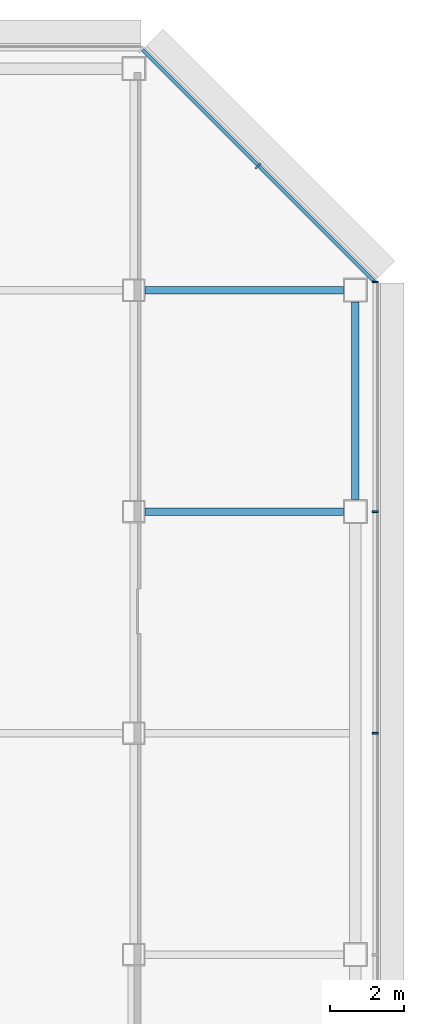
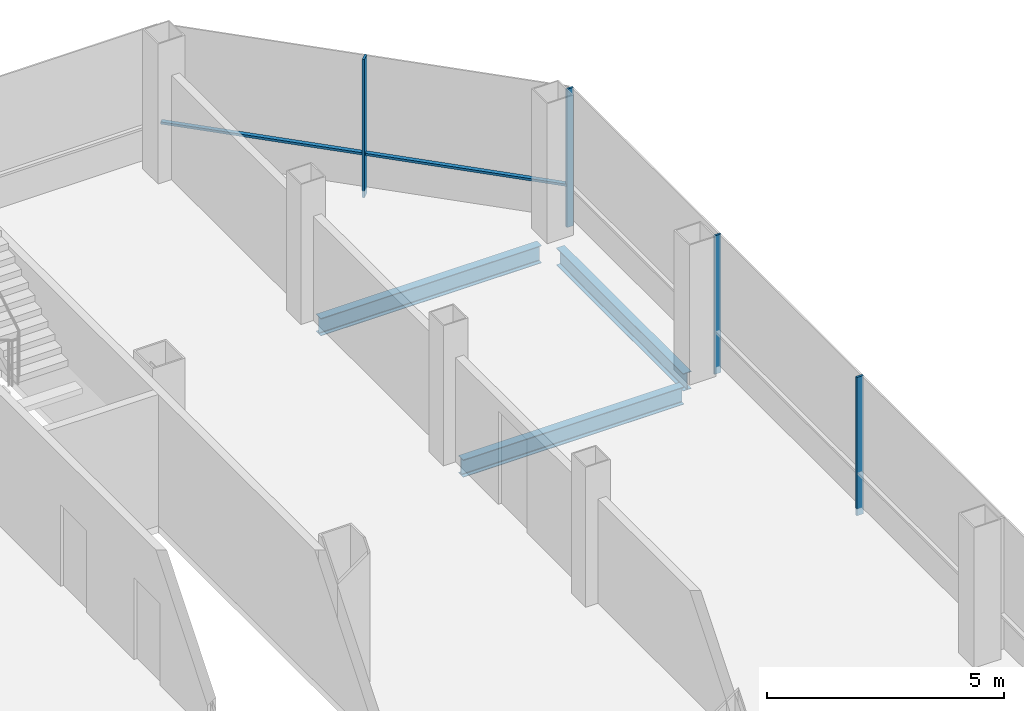
# One storey, part 18 of 27: 5 members, 3 beams, 2 elements without a shape of their own.
"""IFC4 building model written with IfcOpenShell, lengths in metres."""

from ifc_helpers import new_model, si_unit, direction, frame, origin, origin_2d, place, context, subcontext, project, spatial, rectangle, i_section, extrude, material, material_profile, profile_set, type_object, element, aggregate, save


model = new_model("IFC4")

# Units and contexts
model_context = context("Model", 3, precision=1e-05, world=origin(), true_north=direction((0.0, 1.0)))
body_context = subcontext(model_context, "Body", "Model", "MODEL_VIEW")
ifc_project = project(units=[si_unit("LENGTHUNIT", "METRE"), si_unit("AREAUNIT", "SQUARE_METRE"), si_unit("VOLUMEUNIT", "CUBIC_METRE"), si_unit("PLANEANGLEUNIT", "RADIAN"), si_unit("MASSUNIT", "GRAM", prefix="KILO")], contexts=[model_context])

# Site, building, storey
site_placement = place(None, origin())
site = spatial("IfcSite", under=ifc_project, at=site_placement, CompositionType="ELEMENT")
building_placement = place(site_placement, origin())
building = spatial("IfcBuilding", under=site, at=building_placement, Name="Sorahane Residences", CompositionType="ELEMENT")
storey_placement = place(building_placement, frame((0.0, 0.0, 206.39990234375)))
storey = spatial("IfcBuildingStorey", under=building, at=storey_placement, Name="L48", CompositionType="ELEMENT", Elevation=206.39990234375)

# Curtain wall, members
ifc_material_1 = material(Name="Dark low-e glass and black anodised aluminium", Category="aluminium")
curtain_wall_type_1 = type_object("IfcCurtainWallType", Name="Curtain wall CW-1 Typical unitised wall", PredefinedType="NOTDEFINED", material=ifc_material_1)
curtain_wall_1_placement = place(storey_placement, origin())
curtain_wall_1 = element("IfcCurtainWall", 1, at=curtain_wall_1_placement, inside=storey, type_object=curtain_wall_type_1, Name="CW-1 curtain wall L48 E1", PredefinedType="NOTDEFINED")
ifc_material_2 = material(Name="Black anodised aluminium", Category="aluminium")
ifc_material_profile_1 = material_profile(ifc_material_2, rectangle(XDim=0.159912109375, YDim=0.050048828125, at=origin_2d()), Name="Curtain wall mullion CW-1 black anodised aluminium 50x160")
ifc_profile_set_1 = profile_set([ifc_material_profile_1], Name="Black anodised aluminium")
member_type_1 = type_object("IfcMemberType", Name="Curtain wall mullion CW-1 black anodised aluminium 50x160", PredefinedType="MULLION", material=ifc_profile_set_1)
member_1_placement = place(storey_placement, frame((54.5400390625, 30.0, -0.179931640625), z_axis=(0.0, 0.0, 1.0), x_axis=(1.0, 0.0, 0.0)))
member_1 = element("IfcMember", 2, at=member_1_placement, type_object=member_type_1, Name="CW-1 mullion L48 E1.5", PredefinedType="MULLION", context=body_context, shape_type="SweptSolid", body=[
    extrude(rectangle(XDim=0.159912109375, YDim=0.050048828125, at=origin_2d()), origin(), (0.0, 0.0, 1.0), 3.56005859375),
])
member_2_placement = place(storey_placement, frame((54.5400390625, 36.0, -0.179931640625), z_axis=(0.0, 0.0, 1.0), x_axis=(1.0, 0.0, 0.0)))
member_2 = element("IfcMember", 3, at=member_2_placement, type_object=member_type_1, Name="CW-1 mullion L48 E1.6", PredefinedType="MULLION", context=body_context, shape_type="SweptSolid", body=[
    extrude(rectangle(XDim=0.159912109375, YDim=0.050048828125, at=origin_2d()), origin(), (0.0, 0.0, 1.0), 3.56005859375),
])
member_3_placement = place(storey_placement, frame((54.5400390625, 42.2236328125, -0.179931640625), z_axis=(0.0, 0.0, 1.0), x_axis=(1.0, 0.0, 0.0)))
member_3 = element("IfcMember", 4, at=member_3_placement, type_object=member_type_1, Name="CW-1 mullion L48 E1.7", PredefinedType="MULLION", context=body_context, shape_type="SweptSolid", body=[
    extrude(rectangle(XDim=0.159912109375, YDim=0.050048828125, at=origin_2d()), origin(), (0.0, 0.0, 1.0), 3.56005859375),
])
aggregate(curtain_wall_1, [member_1, member_2, member_3])

ifc_material_3 = material(Name="Dark low-e glass and black anodised aluminium", Category="aluminium")
curtain_wall_type_2 = type_object("IfcCurtainWallType", Name="Curtain wall CW-2 Chamfer unitised wall", PredefinedType="NOTDEFINED", material=ifc_material_3)
curtain_wall_2_placement = place(storey_placement, origin())
curtain_wall_2 = element("IfcCurtainWall", 5, at=curtain_wall_2_placement, inside=storey, type_object=curtain_wall_type_2, Name="CW-2 curtain wall L48 NE1", PredefinedType="NOTDEFINED")
ifc_material_4 = material(Name="Black anodised aluminium", Category="aluminium")
ifc_material_profile_2 = material_profile(ifc_material_4, rectangle(XDim=0.199951171875, YDim=0.050048828125, at=origin_2d()), Name="Curtain wall mullion CW-2 black anodised aluminium 50x200")
ifc_profile_set_2 = profile_set([ifc_material_profile_2], Name="Black anodised aluminium")
member_type_2 = type_object("IfcMemberType", Name="Curtain wall mullion CW-2 black anodised aluminium 50x200", PredefinedType="MULLION", material=ifc_profile_set_2)
member_4_placement = place(storey_placement, frame((51.36767578125, 45.36767578125, -0.179931640625), z_axis=(0.0, 0.0, 1.0), x_axis=(0.707106781187, 0.707106781187, 0.0)))
member_4 = element("IfcMember", 6, at=member_4_placement, type_object=member_type_2, Name="CW-2 mullion L48 NE1.2", PredefinedType="MULLION", context=body_context, shape_type="SweptSolid", body=[
    extrude(rectangle(XDim=0.199951171875, YDim=0.050048828125, at=origin_2d()), origin(), (0.0, 0.0, 1.0), 3.56005859375),
])
ifc_material_5 = material(Name="Black anodised aluminium", Category="aluminium")
ifc_material_profile_3 = material_profile(ifc_material_5, rectangle(XDim=0.10009765625, YDim=0.06005859375, at=origin_2d()), Name="Curtain wall transom CW-2 black anodised aluminium 60x100")
ifc_profile_set_3 = profile_set([ifc_material_profile_3], Name="Black anodised aluminium")
member_type_3 = type_object("IfcMemberType", Name="Curtain wall transom CW-2 black anodised aluminium 60x100", PredefinedType="USERDEFINED", material=ifc_profile_set_3)
member_5_placement = place(storey_placement, frame((54.51513671875, 42.234375, 0.900146484375), z_axis=(-0.707106781187, 0.707106781187, 0.0), x_axis=(-0.707106781187, -0.707106781187, 0.0)))
member_5 = element("IfcMember", 7, at=member_5_placement, type_object=member_type_3, Name="CW-2 transom L48 NE1", ObjectType="TRANSOM", PredefinedType="USERDEFINED", context=body_context, shape_type="SweptSolid", body=[
    extrude(rectangle(XDim=0.10009765625, YDim=0.06005859375, at=origin_2d()), origin(), (0.0, 0.0, 1.0), 8.88232421875),
])
aggregate(curtain_wall_2, [member_4, member_5])

# Beams
ifc_material_6 = material(Name="Steel Q355B", Category="steel")
ifc_material_profile_4 = material_profile(ifc_material_6, i_section(OverallWidth=0.199951171875, OverallDepth=0.449951171875, WebThickness=0.009033203125, FlangeThickness=0.013916015625, FilletRadius=0.02001953125, at=origin_2d()), Name="HN 450x200x9x14")
ifc_profile_set_4 = profile_set([ifc_material_profile_4], Name="Steel Q355B")
beam_type = type_object("IfcBeamType", Name="Steel floor beam HN 450x200x9x14 Q355B", PredefinedType="BEAM", material=ifc_profile_set_4)
beam_1_placement = place(storey_placement, frame((48.300048828125, 36.0, -0.40478515625), z_axis=(1.0, 0.0, 0.0), x_axis=(0.0, 1.0, 0.0)))
element("IfcBeam", 8, at=beam_1_placement, inside=storey, type_object=beam_type, Name="Beam L48 014", PredefinedType="BEAM", context=body_context, shape_type="SweptSolid", body=[
    extrude(i_section(OverallWidth=0.199951171875, OverallDepth=0.449951171875, WebThickness=0.009033203125, FlangeThickness=0.013916015625, FilletRadius=0.02001953125, at=origin_2d()), origin(), (0.0, 0.0, 1.0), 5.375),
])
beam_2_placement = place(storey_placement, frame((54.0, 36.324951171875, -0.40478515625), z_axis=(0.0, 1.0, 0.0), x_axis=(-1.0, 0.0, 0.0)))
element("IfcBeam", 9, at=beam_2_placement, inside=storey, type_object=beam_type, Name="Beam L48 067", PredefinedType="BEAM", context=body_context, shape_type="SweptSolid", body=[
    extrude(i_section(OverallWidth=0.199951171875, OverallDepth=0.449951171875, WebThickness=0.009033203125, FlangeThickness=0.013916015625, FilletRadius=0.02001953125, at=origin_2d()), origin(), (0.0, 0.0, 1.0), 5.35009765625),
])
beam_3_placement = place(storey_placement, frame((48.300048828125, 42.0, -0.40478515625), z_axis=(1.0, 0.0, 0.0), x_axis=(0.0, 1.0, 0.0)))
element("IfcBeam", 10, at=beam_3_placement, inside=storey, type_object=beam_type, Name="Beam L48 092", PredefinedType="BEAM", context=body_context, shape_type="SweptSolid", body=[
    extrude(i_section(OverallWidth=0.199951171875, OverallDepth=0.449951171875, WebThickness=0.009033203125, FlangeThickness=0.013916015625, FilletRadius=0.02001953125, at=origin_2d()), origin(), (0.0, 0.0, 1.0), 5.375),
])

save(model, "model.ifc")
